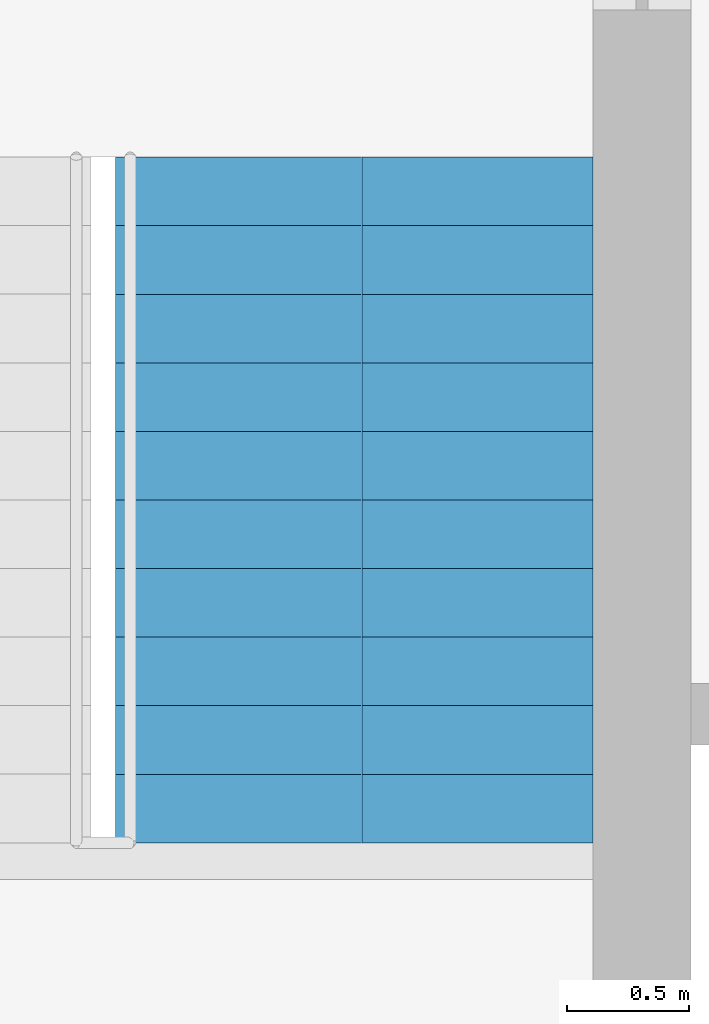
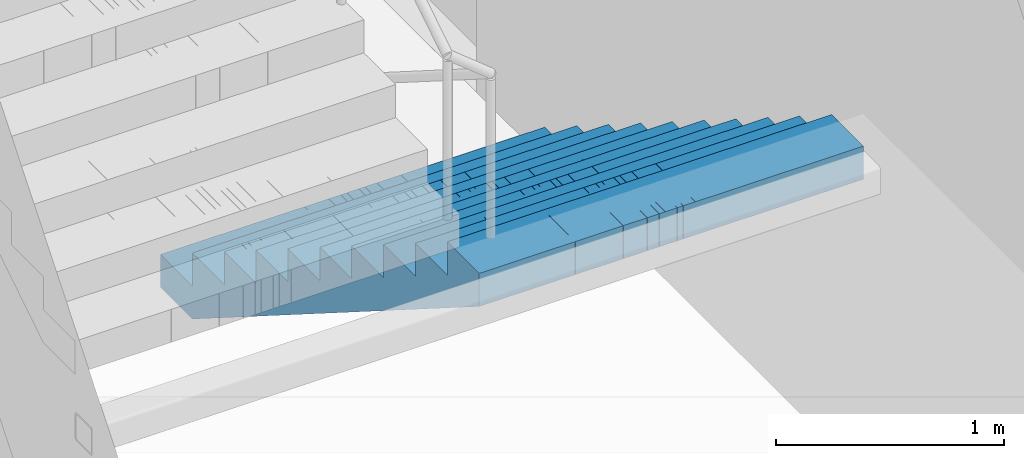
# One storey, part 19 of 20: 1 stair flight, 1 element without a shape of its own.
"""IFC4 building model written with IfcOpenShell, lengths in metres."""

from ifc_helpers import new_model, si_unit, direction, frame, origin, place, context, subcontext, project, spatial, polyline, outline, extrude, material, type_object, element, aggregate, save


model = new_model("IFC4")

# Units and contexts
model_context = context("Model", 3, precision=1e-05, world=origin(), true_north=direction((0.0, 1.0)))
body_context = subcontext(model_context, "Body", "Model", "MODEL_VIEW")
ifc_project = project(units=[si_unit("LENGTHUNIT", "METRE"), si_unit("AREAUNIT", "SQUARE_METRE"), si_unit("VOLUMEUNIT", "CUBIC_METRE"), si_unit("PLANEANGLEUNIT", "RADIAN"), si_unit("MASSUNIT", "GRAM", prefix="KILO")], contexts=[model_context])

# Site, building, storey
site_placement = place(None, origin())
site = spatial("IfcSite", under=ifc_project, at=site_placement, CompositionType="ELEMENT")
building_placement = place(site_placement, origin())
building = spatial("IfcBuilding", under=site, at=building_placement, Name="Mizan Broadcast Tower", CompositionType="ELEMENT")
storey_placement = place(building_placement, frame((0.0, 0.0, 178.800048828125)))
storey = spatial("IfcBuildingStorey", under=building, at=storey_placement, Name="L41", CompositionType="ELEMENT", Elevation=178.800048828125)

# Stair, stair flight
ifc_material_1 = material(Name="Concrete C40/50", Category="concrete")
stair_type = type_object("IfcStairType", Name="EXIT STAIR", PredefinedType="HALF_TURN_STAIR", material=ifc_material_1)
stair_placement = place(storey_placement, origin())
stair = element("IfcStair", 1, at=stair_placement, inside=storey, type_object=stair_type, Name="Stair B L41", PredefinedType="HALF_TURN_STAIR")
ifc_material_2 = material(Name="Concrete C40/50", Category="concrete")
stair_flight_type = type_object("IfcStairFlightType", Name="EXIT STAIR FLIGHT", PredefinedType="STRAIGHT", material=ifc_material_2)
stair_flight_placement = place(storey_placement, frame((1.02490234375, 7.89990234375, 0.0), z_axis=(0.0, 0.0, 1.0), x_axis=(0.0, -1.0, 0.0)))
stair_flight = element("IfcStairFlight", 2, at=stair_flight_placement, type_object=stair_flight_type, Name="B flight 1", NumberOfRisers=11, NumberOfTreads=10, PredefinedType="STRAIGHT", RiserHeight=0.177272727, TreadLength=0.28, context=body_context, shape_type="SweptSolid", body=[
    extrude(outline(polyline([(0.0, 0.0), (0.0, 0.17724609375), (0.280029296875, 0.17724609375), (0.280029296875, 0.3544921875), (0.56005859375, 0.3544921875), (0.56005859375, 0.53173828125), (0.840087890625, 0.53173828125), (0.840087890625, 0.708984375), (1.1201171875, 0.708984375), (1.1201171875, 0.886474609375), (1.39990234375, 0.886474609375), (1.39990234375, 1.063720703125), (1.679931640625, 1.063720703125), (1.679931640625, 1.240966796875), (1.9599609375, 1.240966796875), (1.9599609375, 1.418212890625), (2.239990234375, 1.418212890625), (2.239990234375, 1.595458984375), (2.52001953125, 1.595458984375), (2.52001953125, 1.772705078125), (2.800048828125, 1.772705078125), (2.800048828125, 1.949951171875), (2.800048828125, 1.59521484375), (0.2802734375, 0.0), (0.0, 0.0)])), frame((0.0, 0.97509765625, 0.0), z_axis=(0.0, -1.0, 0.0), x_axis=(1.0, 0.0, 0.0)), (0.0, 0.0, 1.0), 0.4873046875),
    extrude(outline(polyline([(0.0, 0.0), (0.0, 0.17724609375), (0.280029296875, 0.17724609375), (0.280029296875, 0.3544921875), (0.56005859375, 0.3544921875), (0.56005859375, 0.53173828125), (0.840087890625, 0.53173828125), (0.840087890625, 0.708984375), (1.1201171875, 0.708984375), (1.1201171875, 0.886474609375), (1.39990234375, 0.886474609375), (1.39990234375, 1.063720703125), (1.679931640625, 1.063720703125), (1.679931640625, 1.240966796875), (1.9599609375, 1.240966796875), (1.9599609375, 1.418212890625), (2.239990234375, 1.418212890625), (2.239990234375, 1.595458984375), (2.52001953125, 1.595458984375), (2.52001953125, 1.772705078125), (2.800048828125, 1.772705078125), (2.800048828125, 1.949951171875), (2.800048828125, 1.59521484375), (0.2802734375, 0.0), (0.0, 0.0)])), frame((0.0, 0.4873046875, 0.0), z_axis=(0.0, -1.0, 0.0), x_axis=(1.0, 0.0, 0.0)), (0.0, 0.0, 1.0), 0.2431640625),
    extrude(outline(polyline([(0.0, 0.0), (0.0, 0.17724609375), (0.280029296875, 0.17724609375), (0.280029296875, 0.3544921875), (0.56005859375, 0.3544921875), (0.56005859375, 0.53173828125), (0.840087890625, 0.53173828125), (0.840087890625, 0.708984375), (1.1201171875, 0.708984375), (1.1201171875, 0.886474609375), (1.39990234375, 0.886474609375), (1.39990234375, 1.063720703125), (1.679931640625, 1.063720703125), (1.679931640625, 1.240966796875), (1.9599609375, 1.240966796875), (1.9599609375, 1.418212890625), (2.239990234375, 1.418212890625), (2.239990234375, 1.595458984375), (2.52001953125, 1.595458984375), (2.52001953125, 1.772705078125), (2.800048828125, 1.772705078125), (2.800048828125, 1.949951171875), (2.800048828125, 1.59521484375), (0.2802734375, 0.0), (0.0, 0.0)])), frame((0.0, 0.24365234375, 0.0), z_axis=(0.0, -1.0, 0.0), x_axis=(1.0, 0.0, 0.0)), (0.0, 0.0, 1.0), 0.121337890625),
    extrude(outline(polyline([(0.0, 0.0), (0.0, 0.17724609375), (0.280029296875, 0.17724609375), (0.280029296875, 0.3544921875), (0.56005859375, 0.3544921875), (0.56005859375, 0.53173828125), (0.840087890625, 0.53173828125), (0.840087890625, 0.708984375), (1.1201171875, 0.708984375), (1.1201171875, 0.886474609375), (1.39990234375, 0.886474609375), (1.39990234375, 1.063720703125), (1.679931640625, 1.063720703125), (1.679931640625, 1.240966796875), (1.9599609375, 1.240966796875), (1.9599609375, 1.418212890625), (2.239990234375, 1.418212890625), (2.239990234375, 1.595458984375), (2.52001953125, 1.595458984375), (2.52001953125, 1.772705078125), (2.800048828125, 1.772705078125), (2.800048828125, 1.949951171875), (2.800048828125, 1.59521484375), (0.2802734375, 0.0), (0.0, 0.0)])), frame((0.0, 0.121826171875, 0.0), z_axis=(0.0, -1.0, 0.0), x_axis=(1.0, 0.0, 0.0)), (0.0, 0.0, 1.0), 0.060546875),
    extrude(outline(polyline([(0.0, 0.0), (0.0, 0.17724609375), (0.280029296875, 0.17724609375), (0.280029296875, 0.3544921875), (0.56005859375, 0.3544921875), (0.56005859375, 0.53173828125), (0.840087890625, 0.53173828125), (0.840087890625, 0.708984375), (1.1201171875, 0.708984375), (1.1201171875, 0.886474609375), (1.39990234375, 0.886474609375), (1.39990234375, 1.063720703125), (1.679931640625, 1.063720703125), (1.679931640625, 1.240966796875), (1.9599609375, 1.240966796875), (1.9599609375, 1.418212890625), (2.239990234375, 1.418212890625), (2.239990234375, 1.595458984375), (2.52001953125, 1.595458984375), (2.52001953125, 1.772705078125), (2.800048828125, 1.772705078125), (2.800048828125, 1.949951171875), (2.800048828125, 1.59521484375), (0.2802734375, 0.0), (0.0, 0.0)])), frame((0.0, 0.060791015625, 0.0), z_axis=(0.0, -1.0, 0.0), x_axis=(1.0, 0.0, 0.0)), (0.0, 0.0, 1.0), 0.030029296875),
    extrude(outline(polyline([(0.0, 0.0), (0.0, 0.17724609375), (0.280029296875, 0.17724609375), (0.280029296875, 0.3544921875), (0.56005859375, 0.3544921875), (0.56005859375, 0.53173828125), (0.840087890625, 0.53173828125), (0.840087890625, 0.708984375), (1.1201171875, 0.708984375), (1.1201171875, 0.886474609375), (1.39990234375, 0.886474609375), (1.39990234375, 1.063720703125), (1.679931640625, 1.063720703125), (1.679931640625, 1.240966796875), (1.9599609375, 1.240966796875), (1.9599609375, 1.418212890625), (2.239990234375, 1.418212890625), (2.239990234375, 1.595458984375), (2.52001953125, 1.595458984375), (2.52001953125, 1.772705078125), (2.800048828125, 1.772705078125), (2.800048828125, 1.949951171875), (2.800048828125, 1.59521484375), (0.2802734375, 0.0), (0.0, 0.0)])), frame((0.0, 0.0302734375, 0.0), z_axis=(0.0, -1.0, 0.0), x_axis=(1.0, 0.0, 0.0)), (0.0, 0.0, 1.0), 0.060302734375),
    extrude(outline(polyline([(0.0, 0.0), (0.0, 0.17724609375), (0.280029296875, 0.17724609375), (0.280029296875, 0.3544921875), (0.56005859375, 0.3544921875), (0.56005859375, 0.53173828125), (0.840087890625, 0.53173828125), (0.840087890625, 0.708984375), (1.1201171875, 0.708984375), (1.1201171875, 0.886474609375), (1.39990234375, 0.886474609375), (1.39990234375, 1.063720703125), (1.679931640625, 1.063720703125), (1.679931640625, 1.240966796875), (1.9599609375, 1.240966796875), (1.9599609375, 1.418212890625), (2.239990234375, 1.418212890625), (2.239990234375, 1.595458984375), (2.52001953125, 1.595458984375), (2.52001953125, 1.772705078125), (2.800048828125, 1.772705078125), (2.800048828125, 1.949951171875), (2.800048828125, 1.59521484375), (0.2802734375, 0.0), (0.0, 0.0)])), frame((0.0, -0.030517578125, 0.0), z_axis=(0.0, -1.0, 0.0), x_axis=(1.0, 0.0, 0.0)), (0.0, 0.0, 1.0), 0.030029296875),
    extrude(outline(polyline([(0.0, 0.0), (0.0, 0.17724609375), (0.280029296875, 0.17724609375), (0.280029296875, 0.3544921875), (0.56005859375, 0.3544921875), (0.56005859375, 0.53173828125), (0.840087890625, 0.53173828125), (0.840087890625, 0.708984375), (1.1201171875, 0.708984375), (1.1201171875, 0.886474609375), (1.39990234375, 0.886474609375), (1.39990234375, 1.063720703125), (1.679931640625, 1.063720703125), (1.679931640625, 1.240966796875), (1.9599609375, 1.240966796875), (1.9599609375, 1.418212890625), (2.239990234375, 1.418212890625), (2.239990234375, 1.595458984375), (2.52001953125, 1.595458984375), (2.52001953125, 1.772705078125), (2.800048828125, 1.772705078125), (2.800048828125, 1.949951171875), (2.800048828125, 1.59521484375), (0.2802734375, 0.0), (0.0, 0.0)])), frame((0.0, -0.06103515625, 0.0), z_axis=(0.0, -1.0, 0.0), x_axis=(1.0, 0.0, 0.0)), (0.0, 0.0, 1.0), 0.060546875),
    extrude(outline(polyline([(0.0, 0.0), (0.0, 0.17724609375), (0.280029296875, 0.17724609375), (0.280029296875, 0.3544921875), (0.56005859375, 0.3544921875), (0.56005859375, 0.53173828125), (0.840087890625, 0.53173828125), (0.840087890625, 0.708984375), (1.1201171875, 0.708984375), (1.1201171875, 0.886474609375), (1.39990234375, 0.886474609375), (1.39990234375, 1.063720703125), (1.679931640625, 1.063720703125), (1.679931640625, 1.240966796875), (1.9599609375, 1.240966796875), (1.9599609375, 1.418212890625), (2.239990234375, 1.418212890625), (2.239990234375, 1.595458984375), (2.52001953125, 1.595458984375), (2.52001953125, 1.772705078125), (2.800048828125, 1.772705078125), (2.800048828125, 1.949951171875), (2.800048828125, 1.59521484375), (0.2802734375, 0.0), (0.0, 0.0)])), frame((0.0, -0.1220703125, 0.0), z_axis=(0.0, -1.0, 0.0), x_axis=(1.0, 0.0, 0.0)), (0.0, 0.0, 1.0), 0.121337890625),
    extrude(outline(polyline([(0.0, 0.0), (0.0, 0.17724609375), (0.280029296875, 0.17724609375), (0.280029296875, 0.3544921875), (0.56005859375, 0.3544921875), (0.56005859375, 0.53173828125), (0.840087890625, 0.53173828125), (0.840087890625, 0.708984375), (1.1201171875, 0.708984375), (1.1201171875, 0.886474609375), (1.39990234375, 0.886474609375), (1.39990234375, 1.063720703125), (1.679931640625, 1.063720703125), (1.679931640625, 1.240966796875), (1.9599609375, 1.240966796875), (1.9599609375, 1.418212890625), (2.239990234375, 1.418212890625), (2.239990234375, 1.595458984375), (2.52001953125, 1.595458984375), (2.52001953125, 1.772705078125), (2.800048828125, 1.772705078125), (2.800048828125, 1.949951171875), (2.800048828125, 1.59521484375), (0.2802734375, 0.0), (0.0, 0.0)])), frame((0.0, -0.243896484375, 0.0), z_axis=(0.0, -1.0, 0.0), x_axis=(1.0, 0.0, 0.0)), (0.0, 0.0, 1.0), 0.2431640625),
    extrude(outline(polyline([(0.0, 0.0), (0.0, 0.17724609375), (0.280029296875, 0.17724609375), (0.280029296875, 0.3544921875), (0.56005859375, 0.3544921875), (0.56005859375, 0.53173828125), (0.840087890625, 0.53173828125), (0.840087890625, 0.708984375), (1.1201171875, 0.708984375), (1.1201171875, 0.886474609375), (1.39990234375, 0.886474609375), (1.39990234375, 1.063720703125), (1.679931640625, 1.063720703125), (1.679931640625, 1.240966796875), (1.9599609375, 1.240966796875), (1.9599609375, 1.418212890625), (2.239990234375, 1.418212890625), (2.239990234375, 1.595458984375), (2.52001953125, 1.595458984375), (2.52001953125, 1.772705078125), (2.800048828125, 1.772705078125), (2.800048828125, 1.949951171875), (2.800048828125, 1.59521484375), (0.2802734375, 0.0), (0.0, 0.0)])), frame((0.0, -0.487548828125, 0.0), z_axis=(0.0, -1.0, 0.0), x_axis=(1.0, 0.0, 0.0)), (0.0, 0.0, 1.0), 0.4873046875),
])
aggregate(stair, [stair_flight])

save(model, "model.ifc")
